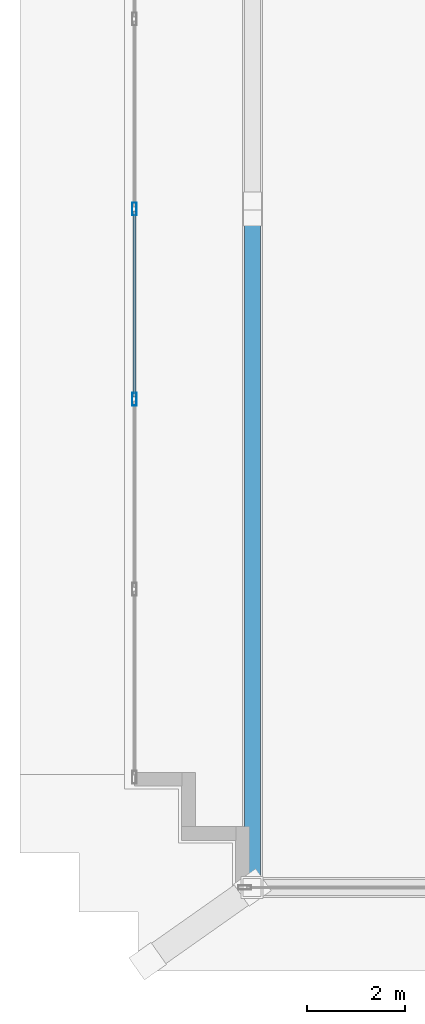
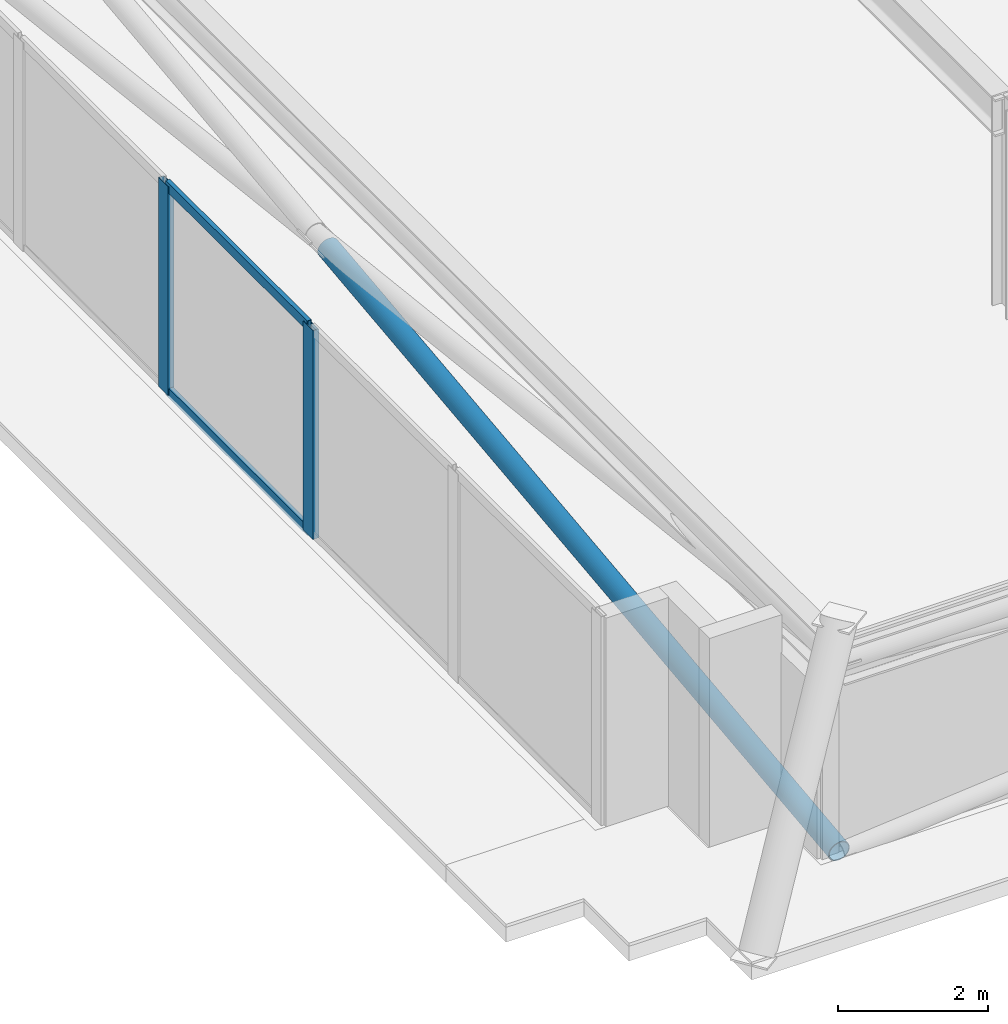
# One storey, part 3 of 22: 5 members, 1 element without a shape of its own.
"""IFC4 building model written with IfcOpenShell, lengths in metres."""

from ifc_helpers import new_model, si_unit, direction, frame, origin, origin_2d, place, context, subcontext, project, spatial, hollow_rectangle, hollow_circle, extrude, material, layer, layer_set, material_profile, profile_set, type_object, element, aggregate, save


model = new_model("IFC4")

# Units and contexts
model_context = context("Model", 3, precision=1e-05, world=origin(), true_north=direction((0.0, 1.0)))
body_context = subcontext(model_context, "Body", "Model", "MODEL_VIEW")
ifc_project = project(units=[si_unit("LENGTHUNIT", "METRE"), si_unit("AREAUNIT", "SQUARE_METRE"), si_unit("VOLUMEUNIT", "CUBIC_METRE"), si_unit("PLANEANGLEUNIT", "RADIAN"), si_unit("MASSUNIT", "GRAM", prefix="KILO")], contexts=[model_context])

# Site, building, storey
site_placement = place(None, origin())
site = spatial("IfcSite", under=ifc_project, at=site_placement, CompositionType="ELEMENT")
building_placement = place(site_placement, origin())
building = spatial("IfcBuilding", under=site, at=building_placement, Name="Qobustan Lattice House", CompositionType="ELEMENT")
storey_placement = place(building_placement, frame((0.0, 0.0, 274.0)))
storey = spatial("IfcBuildingStorey", under=building, at=storey_placement, Name="L77", CompositionType="ELEMENT", Elevation=274.0)

# Curtain wall, members
ifc_material_1 = material(Name="Anodised aluminium and low-E glazing", Category="aluminium")
ifc_layer = layer(ifc_material_1, 0.219970703125)
ifc_layer_set = layer_set([ifc_layer], Name="Anodised aluminium and low-E glazing")
curtain_wall_type = type_object("IfcCurtainWallType", Name="CW-CRN-01", PredefinedType="USERDEFINED", material=ifc_layer_set)
curtain_wall_placement = place(storey_placement, origin())
curtain_wall = element("IfcCurtainWall", 1, at=curtain_wall_placement, inside=storey, type_object=curtain_wall_type, Name="L77 glass-point crown faceted curtain wall 5", ObjectType="CURTAIN WALL", PredefinedType="USERDEFINED")
ifc_material_2 = material(Name="Anodised aluminium EN AW-6063 T6", Category="aluminium")
ifc_material_profile_1 = material_profile(ifc_material_2, hollow_rectangle(XDim=0.090087890625, YDim=0.260009765625, WallThickness=0.006103515625, at=origin_2d()), Name="CWM-CROWN-260x90")
ifc_profile_set_1 = profile_set([ifc_material_profile_1], Name="Anodised aluminium EN AW-6063 T6")
member_type_1 = type_object("IfcMemberType", Name="CWM-CRN-260", PredefinedType="MULLION", material=ifc_profile_set_1)
member_1_placement = place(storey_placement, frame((-19.87353515625, -5.46728515625, 0.0), z_axis=(0.0, 0.0, 1.0), x_axis=(-1.0, 0.0, 0.0)))
member_1 = element("IfcMember", 2, at=member_1_placement, type_object=member_type_1, Name="CW-CR mullion 3", PredefinedType="MULLION", context=body_context, shape_type="SweptSolid", body=[
    extrude(hollow_rectangle(XDim=0.090087890625, YDim=0.260009765625, WallThickness=0.006103515625, at=origin_2d()), origin(), (0.0, 0.0, 1.0), 3.39990234375),
])
member_2_placement = place(storey_placement, frame((-19.87353515625, -1.60009765625, 0.0), z_axis=(0.0, 0.0, 1.0), x_axis=(-1.0, 0.0, 0.0)))
member_2 = element("IfcMember", 3, at=member_2_placement, type_object=member_type_1, Name="CW-CR mullion 4", PredefinedType="MULLION", context=body_context, shape_type="SweptSolid", body=[
    extrude(hollow_rectangle(XDim=0.090087890625, YDim=0.260009765625, WallThickness=0.006103515625, at=origin_2d()), origin(), (0.0, 0.0, 1.0), 3.39990234375),
])
ifc_material_3 = material(Name="Anodised aluminium EN AW-6063 T6", Category="aluminium")
ifc_material_profile_2 = material_profile(ifc_material_3, hollow_rectangle(XDim=0.06494140625, YDim=0.159912109375, WallThickness=0.00390625, at=origin_2d()), Name="CWT-160x65")
ifc_profile_set_2 = profile_set([ifc_material_profile_2], Name="Anodised aluminium EN AW-6063 T6")
member_type_2 = type_object("IfcMemberType", Name="CWT-HOR-160", PredefinedType="USERDEFINED", material=ifc_profile_set_2)
member_3_placement = place(storey_placement, frame((-19.87353515625, -5.422119140625, 0.032470703125), z_axis=(0.0, 1.0, 0.0), x_axis=(-1.0, 0.0, 0.0)))
member_3 = element("IfcMember", 4, at=member_3_placement, type_object=member_type_2, Name="CW-CR transom 3.1", ObjectType="TRANSOM", PredefinedType="USERDEFINED", context=body_context, shape_type="SweptSolid", body=[
    extrude(hollow_rectangle(XDim=0.06494140625, YDim=0.159912109375, WallThickness=0.00390625, at=origin_2d()), origin(), (0.0, 0.0, 1.0), 3.777099609375),
])
member_4_placement = place(storey_placement, frame((-19.87353515625, -5.422119140625, 3.367431640625), z_axis=(0.0, 1.0, 0.0), x_axis=(-1.0, 0.0, 0.0)))
member_4 = element("IfcMember", 5, at=member_4_placement, type_object=member_type_2, Name="CW-CR transom 3.2", ObjectType="TRANSOM", PredefinedType="USERDEFINED", context=body_context, shape_type="SweptSolid", body=[
    extrude(hollow_rectangle(XDim=0.06494140625, YDim=0.159912109375, WallThickness=0.00390625, at=origin_2d()), origin(), (0.0, 0.0, 1.0), 3.777099609375),
])
aggregate(curtain_wall, [member_1, member_2, member_3, member_4])

# Member
ifc_material_4 = material(Name="Steel S355", Category="steel")
ifc_material_profile_3 = material_profile(ifc_material_4, hollow_circle(Radius=0.161865234375, WallThickness=0.012451171875, at=origin_2d()), Name="CHS323.9x12.5")
ifc_profile_set_3 = profile_set([ifc_material_profile_3], Name="Steel S355")
member_type_3 = type_object("IfcMemberType", Name="MEM-CBR-CHS324", PredefinedType="BRACE", material=ifc_profile_set_3)
member_5_placement = place(storey_placement, frame((-17.473388671875, -15.401611328125, 0.014892578125), z_axis=(0.0, 0.993489712817, 0.113921861497), x_axis=(-1.0, 0.0, 0.0)))
element("IfcMember", 6, at=member_5_placement, inside=storey, type_object=member_type_3, Name="L77 crown diagrid split brace 4B lower", PredefinedType="BRACE", context=body_context, shape_type="SweptSolid", body=[
    extrude(hollow_circle(Radius=0.161865234375, WallThickness=0.012451171875, at=origin_2d()), origin(), (0.0, 0.0, 1.0), 13.72412109375),
])

save(model, "model.ifc")
